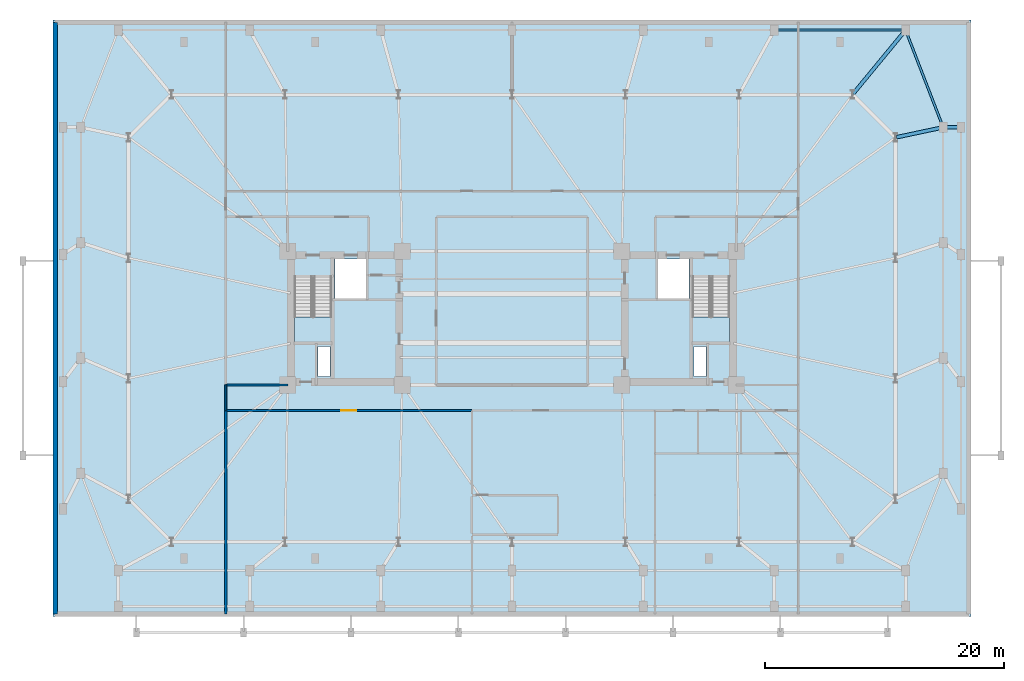
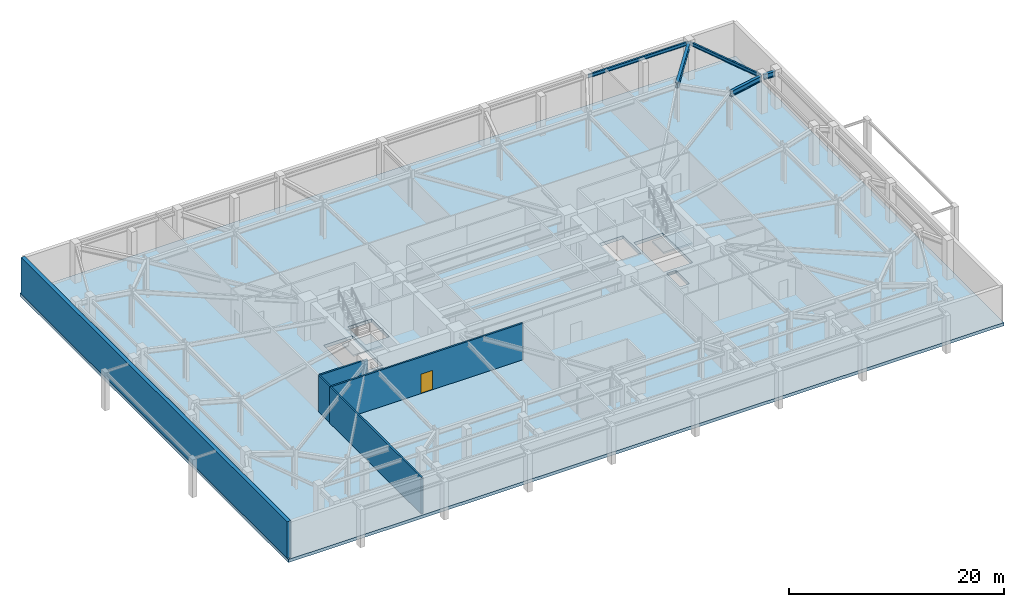
# One storey, part 7 of 14: 5 beams, 5 walls, 3 slabs, 1 door, 1 opening, 2 elements without a shape of their own.
"""IFC4 building model written with IfcOpenShell, lengths in metres."""

from ifc_helpers import new_model, si_unit, direction, frame, frame_2d, origin, origin_2d, place, context, subcontext, project, spatial, polyline, rectangle, i_section, outline, extrude, material, layer, layer_set, material_profile, profile_set, type_object, element, fill, aggregate, save


model = new_model("IFC4")

# Units and contexts
model_context = context("Model", 3, precision=1e-05, world=origin(), true_north=direction((0.0, 1.0)))
body_context = subcontext(model_context, "Body", "Model", "MODEL_VIEW")
ifc_project = project(units=[si_unit("LENGTHUNIT", "METRE"), si_unit("AREAUNIT", "SQUARE_METRE"), si_unit("VOLUMEUNIT", "CUBIC_METRE"), si_unit("PLANEANGLEUNIT", "RADIAN"), si_unit("MASSUNIT", "GRAM", prefix="KILO")], contexts=[model_context])

# Site, building, storey
site_placement = place(None, origin())
site = spatial("IfcSite", under=ifc_project, at=site_placement, CompositionType="ELEMENT")
building_placement = place(site_placement, origin())
building = spatial("IfcBuilding", under=site, at=building_placement, Name="Qobustan Lattice House", CompositionType="ELEMENT")
storey_placement = place(building_placement, frame((0.0, 0.0, -4.5)))
storey = spatial("IfcBuildingStorey", under=building, at=storey_placement, Name="B01", CompositionType="ELEMENT", Elevation=-4.5)

# Beams
ifc_material_1 = material(Name="Steel S355", Category="steel")
ifc_material_profile_1 = material_profile(ifc_material_1, i_section(OverallWidth=0.300048828125, OverallDepth=0.60009765625, WebThickness=0.015380859375, FlangeThickness=0.030029296875, FilletRadius=0.027099609375, at=origin_2d()), Name="HEB600")
ifc_profile_set_1 = profile_set([ifc_material_profile_1], Name="Steel S355")
beam_type_1 = type_object("IfcBeamType", Name="BM-POD-HEB600", PredefinedType="USERDEFINED", material=ifc_profile_set_1)
beam_1_placement = place(storey_placement, frame((37.530029296875, 16.0, 3.860107421875), z_axis=(-1.0, 0.0, 0.0), x_axis=(0.0, -1.0, 0.0)))
element("IfcBeam", 1, at=beam_1_placement, inside=storey, type_object=beam_type_1, Name="B01 setback tie girder PEL4", ObjectType="GIRDER", PredefinedType="USERDEFINED", context=body_context, shape_type="SweptSolid", body=[
    extrude(i_section(OverallWidth=0.300048828125, OverallDepth=0.60009765625, WebThickness=0.015380859375, FlangeThickness=0.030029296875, FilletRadius=0.027099609375, at=origin_2d()), origin(), (0.0, 0.0, 1.0), 1.260009765625),
])
beam_2_placement = place(storey_placement, frame((32.923583984375, 24.057373046875, 3.860107421875), z_axis=(-0.635954703728, -0.771726385973, 0.0), x_axis=(0.771726385973, -0.635954703728, 0.0)))
element("IfcBeam", 2, at=beam_2_placement, inside=storey, type_object=beam_type_1, Name="B01 podium radial girder PN7", ObjectType="GIRDER", PredefinedType="USERDEFINED", context=body_context, shape_type="SweptSolid", body=[
    extrude(i_section(OverallWidth=0.300048828125, OverallDepth=0.60009765625, WebThickness=0.015380859375, FlangeThickness=0.030029296875, FilletRadius=0.027099609375, at=origin_2d()), origin(), (0.0, 0.0, 1.0), 6.77734375),
])
beam_3_placement = place(storey_placement, frame((36.03271484375, 15.97509765625, 3.860107421875), z_axis=(-0.978163821655, -0.207835362738, 0.0), x_axis=(0.207835362738, -0.978163821655, 0.0)))
element("IfcBeam", 3, at=beam_3_placement, inside=storey, type_object=beam_type_1, Name="B01 podium radial girder PE4", ObjectType="GIRDER", PredefinedType="USERDEFINED", context=body_context, shape_type="SweptSolid", body=[
    extrude(i_section(OverallWidth=0.300048828125, OverallDepth=0.60009765625, WebThickness=0.015380859375, FlangeThickness=0.030029296875, FilletRadius=0.027099609375, at=origin_2d()), origin(), (0.0, 0.0, 1.0), 3.869384765625),
])
ifc_material_2 = material(Name="Steel S355", Category="steel")
ifc_material_profile_2 = material_profile(ifc_material_2, i_section(OverallWidth=0.179931640625, OverallDepth=0.39990234375, WebThickness=0.008544921875, FlangeThickness=0.013427734375, FilletRadius=0.02099609375, at=origin_2d()), Name="IPE400")
ifc_profile_set_2 = profile_set([ifc_material_profile_2], Name="Steel S355")
beam_type_2 = type_object("IfcBeamType", Name="BM-SPD-IPE400", PredefinedType="SPANDREL", material=ifc_profile_set_2)
beam_4_placement = place(storey_placement, frame((22.1201171875, 24.14990234375, 3.9599609375), z_axis=(1.0, 0.0, 0.0), x_axis=(0.0, 1.0, 0.0)))
element("IfcBeam", 4, at=beam_4_placement, inside=storey, type_object=beam_type_2, Name="B01 podium spandrel PN6-PN7", PredefinedType="SPANDREL", context=body_context, shape_type="SweptSolid", body=[
    extrude(i_section(OverallWidth=0.179931640625, OverallDepth=0.39990234375, WebThickness=0.008544921875, FlangeThickness=0.013427734375, FilletRadius=0.02099609375, at=origin_2d()), origin(), (0.0, 0.0, 1.0), 10.759765625),
])
beam_5_placement = place(storey_placement, frame((33.043212890625, 24.0380859375, 3.9599609375), z_axis=(0.360516886299, -0.932752686779, 0.0), x_axis=(0.932752686779, 0.360516886299, 0.0)))
element("IfcBeam", 5, at=beam_5_placement, inside=storey, type_object=beam_type_2, Name="B01 podium corner tie PN7-PE4", PredefinedType="SPANDREL", context=body_context, shape_type="SweptSolid", body=[
    extrude(i_section(OverallWidth=0.179931640625, OverallDepth=0.39990234375, WebThickness=0.008544921875, FlangeThickness=0.013427734375, FilletRadius=0.02099609375, at=origin_2d()), origin(), (0.0, 0.0, 1.0), 8.49755859375),
])

# Slab
ifc_material_3 = material(Name="Concrete C50/60", Category="concrete")
ifc_layer_1 = layer(ifc_material_3, 0.360107421875)
ifc_layer_set_1 = layer_set([ifc_layer_1], Name="Concrete C50/60")
slab_type_1 = type_object("IfcSlabType", Name="SLB-FLR-360", PredefinedType="FLOOR", material=ifc_layer_set_1)
slab_1_placement = place(storey_placement, frame((0.0, 0.0, -0.360107421875)))
element("IfcSlab", 6, at=slab_1_placement, inside=storey, type_object=slab_type_1, Name="B01 structural floor slab", PredefinedType="FLOOR", context=body_context, shape_type="SweptSolid", body=[
    extrude(outline(polyline([(-38.5, -25.0), (38.5, -25.0), (38.5, 25.0), (-38.5, 25.0), (-38.5, -25.0)]), holes=[polyline([(-18.25, -2.050048828125), (-18.25, 3.489990234375), (-15.1298828125, 3.489990234375), (-15.1298828125, -2.050048828125), (-18.25, -2.050048828125)]), polyline([(15.1298828125, -2.050048828125), (15.1298828125, 3.489990234375), (18.25, 3.489990234375), (18.25, -2.050048828125), (15.1298828125, -2.050048828125)]), polyline([(-14.820068359375, 1.64990234375), (-14.820068359375, 4.9599609375), (-12.25, 4.9599609375), (-12.25, 1.64990234375), (-14.820068359375, 1.64990234375)]), polyline([(12.25, 1.64990234375), (12.25, 4.9599609375), (14.820068359375, 4.9599609375), (14.820068359375, 1.64990234375), (12.25, 1.64990234375)]), polyline([(-16.260009765625, -4.8798828125), (-16.260009765625, -2.360107421875), (-15.260009765625, -2.360107421875), (-15.260009765625, -4.8798828125), (-16.260009765625, -4.8798828125)]), polyline([(15.260009765625, -4.8798828125), (15.260009765625, -2.360107421875), (16.260009765625, -2.360107421875), (16.260009765625, -4.8798828125), (15.260009765625, -4.8798828125)])]), origin(), (0.0, 0.0, 1.0), 0.360107421875),
])

# Stair, slab
ifc_material_4 = material(Name="Concrete C40/50", Category="concrete")
stair_type = type_object("IfcStairType", Name="STR-CORE-DOGLEG", PredefinedType="HALF_TURN_STAIR", material=ifc_material_4)
stair_1_placement = place(storey_placement, origin())
stair_1 = element("IfcStair", 7, at=stair_1_placement, inside=storey, type_object=stair_type, Name="B01 West protected exit stair ST-W1", PredefinedType="HALF_TURN_STAIR")
ifc_material_5 = material(Name="Concrete C40/50", Category="concrete")
ifc_layer_2 = layer(ifc_material_5, 0.199951171875)
ifc_layer_set_2 = layer_set([ifc_layer_2], Name="Concrete C40/50")
slab_type_2 = type_object("IfcSlabType", Name="SLB-LANDING-200", PredefinedType="LANDING", material=ifc_layer_set_2)
slab_2_placement = place(storey_placement, frame((0.0, 0.0, 2.050048828125)))
slab_2 = element("IfcSlab", 8, at=slab_2_placement, type_object=slab_type_2, Name="ST-W1 landing 1", PredefinedType="LANDING", context=body_context, shape_type="SweptSolid", body=[
    extrude(outline(polyline([(-18.25, 0.080078125), (-18.25, -2.050048828125), (-15.1298828125, -2.050048828125), (-15.1298828125, 0.080078125), (-18.25, 0.080078125)])), origin(), (0.0, 0.0, 1.0), 0.199951171875),
])
aggregate(stair_1, [slab_2])

stair_2_placement = place(storey_placement, origin())
stair_2 = element("IfcStair", 9, at=stair_2_placement, inside=storey, type_object=stair_type, Name="B01 East protected exit stair ST-E1", PredefinedType="HALF_TURN_STAIR")
slab_3_placement = place(storey_placement, frame((0.0, 0.0, 2.050048828125)))
slab_3 = element("IfcSlab", 10, at=slab_3_placement, type_object=slab_type_2, Name="ST-E1 landing 1", PredefinedType="LANDING", context=body_context, shape_type="SweptSolid", body=[
    extrude(outline(polyline([(15.1298828125, 0.080078125), (15.1298828125, -2.050048828125), (18.25, -2.050048828125), (18.25, 0.080078125), (15.1298828125, 0.080078125)])), origin(), (0.0, 0.0, 1.0), 0.199951171875),
])
aggregate(stair_2, [slab_3])

# Wall, opening, door
ifc_material_6 = material(Name="Gypsum fireboard acoustic partition", Category="gypsum")
ifc_layer_3 = layer(ifc_material_6, 0.179931640625)
ifc_layer_set_3 = layer_set([ifc_layer_3], Name="Gypsum fireboard acoustic partition")
wall_type_1 = type_object("IfcWallType", Name="WAL-FIRE-180", PredefinedType="PARTITIONING", material=ifc_layer_set_3)
wall_1_placement = place(storey_placement, frame((-3.360107421875, -7.75, 0.0), z_axis=(0.0, 0.0, 1.0), x_axis=(-1.0, 0.0, 0.0)))
wall_1 = element("IfcWall", 11, at=wall_1_placement, inside=storey, type_object=wall_type_1, Name="B01 interior partition 28", PredefinedType="PARTITIONING", context=body_context, shape_type="SweptSolid", body=[
    extrude(rectangle(XDim=20.639892578125, YDim=0.179931640625, at=frame_2d((10.31982421875, 0.0))), origin(), (0.0, 0.0, 1.0), 4.159912109375),
])
opening_placement = place(wall_1_placement, frame((9.695068359375, 0.0, 0.0)))
opening = element("IfcOpeningElement", 12, at=opening_placement, cuts=wall_1, Name="Opening FD-03", PredefinedType="OPENING", context=body_context, shape_type="SweptSolid", body=[
    extrude(rectangle(XDim=1.25, YDim=2.199951171875, at=frame_2d((0.625, 1.10009765625))), frame((0.0, 0.099853515625, 0.0), z_axis=(0.0, -1.0, 0.0), x_axis=(1.0, 0.0, 0.0)), (0.0, 0.0, 1.0), 0.199951171875),
])
ifc_material_7 = material(Name="Persian walnut timber and steel frame door", Category="steel")
door_type = type_object("IfcDoorType", Name="DOR-PLANT-1250x2200", OperationType="NOTDEFINED", PredefinedType="DOOR", material=ifc_material_7)
door_placement = place(opening_placement, origin())
door = element("IfcDoor", 13, at=door_placement, inside=storey, type_object=door_type, Name="B01 South-west substructure corridor to Calorifier and DHW boiler plant door", OperationType="SINGLE_SWING_RIGHT", OverallHeight=2.199951171875, OverallWidth=1.25, PredefinedType="DOOR", context=body_context, shape_type="SweptSolid", body=[
    extrude(rectangle(XDim=1.25, YDim=2.199951171875, at=frame_2d((0.625, 1.10009765625))), frame((0.0, 0.02490234375, 0.0), z_axis=(0.0, -1.0, 0.0), x_axis=(1.0, 0.0, 0.0)), (0.0, 0.0, 1.0), 0.050048828125),
])
fill(opening, door)

# Walls
wall_2_placement = place(storey_placement, frame((-24.0, -5.60009765625, 0.0), z_axis=(0.0, 0.0, 1.0), x_axis=(1.0, 0.0, 0.0)))
element("IfcWall", 14, at=wall_2_placement, inside=storey, type_object=wall_type_1, Name="B01 interior partition 30", PredefinedType="PARTITIONING", context=body_context, shape_type="SweptSolid", body=[
    extrude(rectangle(XDim=5.199951171875, YDim=0.179931640625, at=frame_2d((2.60009765625, 0.0))), origin(), (0.0, 0.0, 1.0), 4.159912109375),
])
wall_3_placement = place(storey_placement, frame((-24.0, -7.75, 0.0), z_axis=(0.0, 0.0, 1.0), x_axis=(0.0, -1.0, 0.0)))
element("IfcWall", 15, at=wall_3_placement, inside=storey, type_object=wall_type_1, Name="B01 interior partition 42", PredefinedType="PARTITIONING", context=body_context, shape_type="SweptSolid", body=[
    extrude(rectangle(XDim=17.050048828125, YDim=0.179931640625, at=frame_2d((8.52490234375, 0.0))), origin(), (0.0, 0.0, 1.0), 4.159912109375),
])
ifc_material_8 = material(Name="Acoustic twin-stud gypsum partition", Category="gypsum")
ifc_layer_4 = layer(ifc_material_8, 0.14990234375)
ifc_layer_set_4 = layer_set([ifc_layer_4], Name="Acoustic twin-stud gypsum partition")
wall_type_2 = type_object("IfcWallType", Name="WAL-PART-150", PredefinedType="PARTITIONING", material=ifc_layer_set_4)
wall_4_placement = place(storey_placement, frame((-24.0, -7.75, 0.0), z_axis=(0.0, 0.0, 1.0), x_axis=(0.0, 1.0, 0.0)))
element("IfcWall", 16, at=wall_4_placement, inside=storey, type_object=wall_type_2, Name="B01 interior partition 27", PredefinedType="PARTITIONING", context=body_context, shape_type="SweptSolid", body=[
    extrude(rectangle(XDim=2.14990234375, YDim=0.14990234375, at=frame_2d((1.074951171875, 0.0))), origin(), (0.0, 0.0, 1.0), 4.159912109375),
])
ifc_material_9 = material(Name="Concrete C50/60", Category="concrete")
ifc_layer_5 = layer(ifc_material_9, 0.39990234375)
ifc_layer_set_5 = layer_set([ifc_layer_5], Name="Concrete C50/60")
wall_type_3 = type_object("IfcWallType", Name="WAL-SUB-RET-400", PredefinedType="SOLIDWALL", material=ifc_layer_set_5)
wall_5_placement = place(storey_placement, frame((-38.300048828125, -24.800048828125, 0.0), z_axis=(0.0, 0.0, 1.0), x_axis=(0.0, 1.0, 0.0)))
element("IfcWall", 17, at=wall_5_placement, inside=storey, type_object=wall_type_3, Name="B01 substructure retaining wall 1", PredefinedType="SOLIDWALL", context=body_context, shape_type="SweptSolid", body=[
    extrude(rectangle(XDim=49.60009765625, YDim=0.39990234375, at=frame_2d((24.800048828125, 0.0))), origin(), (0.0, 0.0, 1.0), 4.159912109375),
])

save(model, "model.ifc")
